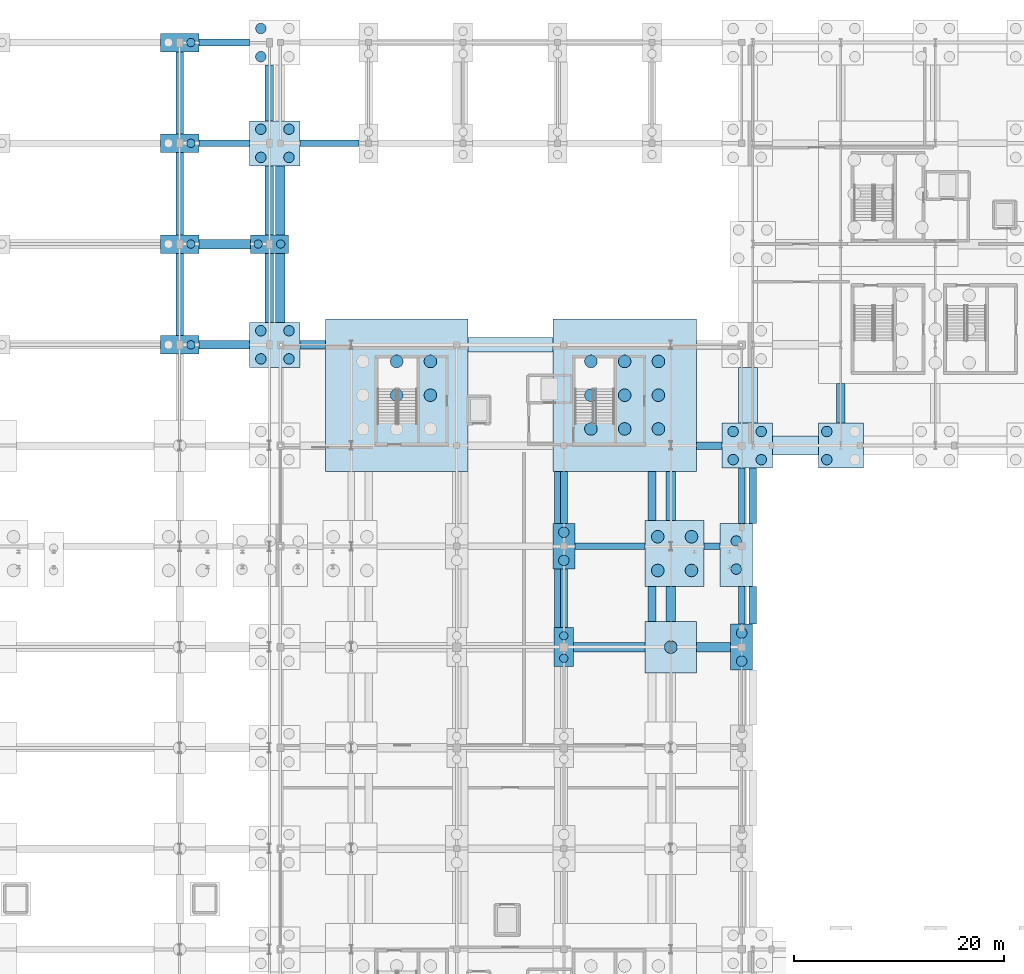
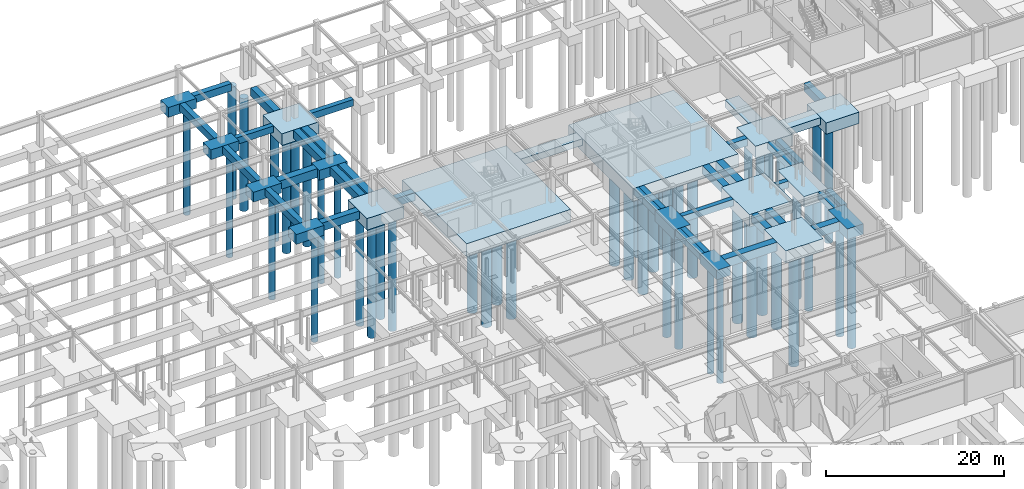
# One storey, part 6 of 59: 52 footings, 48 piles.
"""IFC4 building model written with IfcOpenShell, lengths in metres."""

from ifc_helpers import new_model, si_unit, direction, frame, origin, origin_2d, place, context, subcontext, project, spatial, rectangle, circle, extrude, material, material_profile, profile_set, type_object, element, save


model = new_model("IFC4")

# Units and contexts
model_context = context("Model", 3, precision=1e-05, world=origin(), true_north=direction((0.0, 1.0)))
body_context = subcontext(model_context, "Body", "Model", "MODEL_VIEW")
ifc_project = project(units=[si_unit("LENGTHUNIT", "METRE"), si_unit("AREAUNIT", "SQUARE_METRE"), si_unit("VOLUMEUNIT", "CUBIC_METRE"), si_unit("PLANEANGLEUNIT", "RADIAN"), si_unit("MASSUNIT", "GRAM", prefix="KILO")], contexts=[model_context])

# Site, building, storey
site_placement = place(None, origin())
site = spatial("IfcSite", under=ifc_project, at=site_placement, CompositionType="ELEMENT")
building_placement = place(site_placement, origin())
building = spatial("IfcBuilding", under=site, at=building_placement, Name="Myrtia Square Station", CompositionType="ELEMENT")
storey_placement = place(building_placement, frame((0.0, 0.0, -4.5)))
storey = spatial("IfcBuildingStorey", under=building, at=storey_placement, Name="B01", CompositionType="ELEMENT", Elevation=-4.5)

# Footings
ifc_material = material(Name="Concrete C35/45", Category="concrete")
ifc_material_profile_1 = material_profile(ifc_material, rectangle(XDim=0.60009765625, YDim=0.89990234375, at=origin_2d()), Name="FB 600x900")
ifc_profile_set_1 = profile_set([ifc_material_profile_1], Name="Concrete C35/45")
footing_type_1 = type_object("IfcFootingType", Name="FBM-600x900", PredefinedType="FOOTING_BEAM", material=ifc_profile_set_1)
footing_1_placement = place(storey_placement, frame((100.64990234375, 76.800048828125, -0.449951171875), z_axis=(1.0, 0.0, 0.0), x_axis=(0.0, 1.0, 0.0)))
element("IfcFooting", 1, at=footing_1_placement, inside=storey, type_object=footing_type_1, Name="Seismic foundation tie beam X-0096", PredefinedType="FOOTING_BEAM", context=body_context, shape_type="SweptSolid", body=[
    extrude(rectangle(XDim=0.60009765625, YDim=0.89990234375, at=origin_2d()), origin(), (0.0, 0.0, 1.0), 6.7001953125),
])
footing_2_placement = place(storey_placement, frame((112.969970703125, 76.800048828125, -0.449951171875), z_axis=(1.0, 0.0, 0.0), x_axis=(0.0, 1.0, 0.0)))
element("IfcFooting", 2, at=footing_2_placement, inside=storey, type_object=footing_type_1, Name="Seismic foundation tie beam X-0097", PredefinedType="FOOTING_BEAM", context=body_context, shape_type="SweptSolid", body=[
    extrude(rectangle(XDim=0.60009765625, YDim=0.89990234375, at=origin_2d()), origin(), (0.0, 0.0, 1.0), 1.5),
])
footing_3_placement = place(storey_placement, frame((64.820068359375, 115.199951171875, -0.449951171875), z_axis=(1.0, 0.0, 0.0), x_axis=(0.0, 1.0, 0.0)))
element("IfcFooting", 3, at=footing_3_placement, inside=storey, type_object=footing_type_1, Name="Seismic foundation tie beam X-0134", PredefinedType="FOOTING_BEAM", context=body_context, shape_type="SweptSolid", body=[
    extrude(rectangle(XDim=0.60009765625, YDim=0.89990234375, at=origin_2d()), origin(), (0.0, 0.0, 1.0), 4.85498046875),
])
footing_4_placement = place(storey_placement, frame((74.47509765625, 115.199951171875, -0.449951171875), z_axis=(1.0, 0.0, 0.0), x_axis=(0.0, 1.0, 0.0)))
element("IfcFooting", 4, at=footing_4_placement, inside=storey, type_object=footing_type_1, Name="Seismic foundation tie beam X-0135", PredefinedType="FOOTING_BEAM", context=body_context, shape_type="SweptSolid", body=[
    extrude(rectangle(XDim=0.60009765625, YDim=0.89990234375, at=origin_2d()), origin(), (0.0, 0.0, 1.0), 5.60498046875),
])
footing_5_placement = place(storey_placement, frame((99.0, 69.06005859375, -0.449951171875), z_axis=(0.0, 1.0, 0.0), x_axis=(-1.0, 0.0, 0.0)))
element("IfcFooting", 5, at=footing_5_placement, inside=storey, type_object=footing_type_1, Name="Seismic foundation tie beam Y-0268", PredefinedType="FOOTING_BEAM", context=body_context, shape_type="SweptSolid", body=[
    extrude(rectangle(XDim=0.60009765625, YDim=0.89990234375, at=origin_2d()), origin(), (0.0, 0.0, 1.0), 5.56005859375),
])
footing_6_placement = place(storey_placement, frame((99.0, 78.97998046875, -0.449951171875), z_axis=(0.0, 1.0, 0.0), x_axis=(-1.0, 0.0, 0.0)))
element("IfcFooting", 6, at=footing_6_placement, inside=storey, type_object=footing_type_1, Name="Seismic foundation tie beam Y-0269", PredefinedType="FOOTING_BEAM", context=body_context, shape_type="SweptSolid", body=[
    extrude(rectangle(XDim=0.60009765625, YDim=0.89990234375, at=origin_2d()), origin(), (0.0, 0.0, 1.0), 4.969970703125),
])
footing_7_placement = place(storey_placement, frame((116.550048828125, 69.3798828125, -0.449951171875), z_axis=(0.0, 1.0, 0.0), x_axis=(-1.0, 0.0, 0.0)))
element("IfcFooting", 7, at=footing_7_placement, inside=storey, type_object=footing_type_1, Name="Seismic foundation tie beam Y-0300", PredefinedType="FOOTING_BEAM", context=body_context, shape_type="SweptSolid", body=[
    extrude(rectangle(XDim=0.60009765625, YDim=0.89990234375, at=origin_2d()), origin(), (0.0, 0.0, 1.0), 3.580078125),
])
footing_8_placement = place(storey_placement, frame((116.550048828125, 78.97998046875, -0.449951171875), z_axis=(0.0, 1.0, 0.0), x_axis=(-1.0, 0.0, 0.0)))
element("IfcFooting", 8, at=footing_8_placement, inside=storey, type_object=footing_type_1, Name="Seismic foundation tie beam Y-0301", PredefinedType="FOOTING_BEAM", context=body_context, shape_type="SweptSolid", body=[
    extrude(rectangle(XDim=0.60009765625, YDim=0.89990234375, at=origin_2d()), origin(), (0.0, 0.0, 1.0), 5.27001953125),
])
ifc_material_profile_2 = material_profile(ifc_material, rectangle(XDim=0.699951171875, YDim=1.0, at=origin_2d()), Name="FB 700x1000")
ifc_profile_set_2 = profile_set([ifc_material_profile_2], Name="Concrete C35/45")
footing_type_2 = type_object("IfcFootingType", Name="FBM-700x1000", PredefinedType="FOOTING_BEAM", material=ifc_profile_set_2)
footing_9_placement = place(storey_placement, frame((112.25, 86.39990234375, -0.5), z_axis=(1.0, 0.0, 0.0), x_axis=(0.0, 1.0, 0.0)))
element("IfcFooting", 9, at=footing_9_placement, inside=storey, type_object=footing_type_2, Name="Seismic foundation tie beam X-0106", PredefinedType="FOOTING_BEAM", context=body_context, shape_type="SweptSolid", body=[
    extrude(rectangle(XDim=0.699951171875, YDim=1.0, at=origin_2d()), origin(), (0.0, 0.0, 1.0), 2.425048828125),
])
footing_10_placement = place(storey_placement, frame((64.820068359375, 124.800048828125, -0.5), z_axis=(1.0, 0.0, 0.0), x_axis=(0.0, 1.0, 0.0)))
element("IfcFooting", 10, at=footing_10_placement, inside=storey, type_object=footing_type_2, Name="Seismic foundation tie beam X-0147", PredefinedType="FOOTING_BEAM", context=body_context, shape_type="SweptSolid", body=[
    extrude(rectangle(XDim=0.699951171875, YDim=1.0, at=origin_2d()), origin(), (0.0, 0.0, 1.0), 4.85498046875),
])
for number, where, z_axis, x_axis, name in (
    (11, (63.0, 96.8798828125, -0.5), (0.0, 1.0, 0.0), (-1.0, 0.0, 0.0), "Seismic foundation tie beam Y-0212"),
    (12, (63.0, 106.47998046875, -0.5), (0.0, 1.0, 0.0), (-1.0, 0.0, 0.0), "Seismic foundation tie beam Y-0213"),
):
    element("IfcFooting", number, at=place(storey_placement, frame(where, z_axis=z_axis, x_axis=x_axis)), inside=storey, type_object=footing_type_2, Name=name, PredefinedType="FOOTING_BEAM", context=body_context, shape_type="SweptSolid", body=[
        extrude(rectangle(XDim=0.699951171875, YDim=1.0, at=origin_2d()), origin(), (0.0, 0.0, 1.0), 7.840087890625),
    ])
footing_11_placement = place(storey_placement, frame((63.0, 116.080078125, -0.5), z_axis=(0.0, 1.0, 0.0), x_axis=(-1.0, 0.0, 0.0)))
element("IfcFooting", 13, at=footing_11_placement, inside=storey, type_object=footing_type_2, Name="Seismic foundation tie beam Y-0214", PredefinedType="FOOTING_BEAM", context=body_context, shape_type="SweptSolid", body=[
    extrude(rectangle(XDim=0.699951171875, YDim=1.0, at=origin_2d()), origin(), (0.0, 0.0, 1.0), 7.83984375),
])
footing_12_placement = place(storey_placement, frame((99.60009765625, 69.06005859375, -0.5), z_axis=(0.0, 1.0, 0.0), x_axis=(-1.0, 0.0, 0.0)))
element("IfcFooting", 14, at=footing_12_placement, inside=storey, type_object=footing_type_2, Name="Seismic foundation tie beam Y-0277", PredefinedType="FOOTING_BEAM", context=body_context, shape_type="SweptSolid", body=[
    extrude(rectangle(XDim=0.699951171875, YDim=1.0, at=origin_2d()), origin(), (0.0, 0.0, 1.0), 5.56005859375),
])
footing_13_placement = place(storey_placement, frame((99.60009765625, 78.97998046875, -0.5), z_axis=(0.0, 1.0, 0.0), x_axis=(-1.0, 0.0, 0.0)))
element("IfcFooting", 15, at=footing_13_placement, inside=storey, type_object=footing_type_2, Name="Seismic foundation tie beam Y-0278", PredefinedType="FOOTING_BEAM", context=body_context, shape_type="SweptSolid", body=[
    extrude(rectangle(XDim=0.699951171875, YDim=1.0, at=origin_2d()), origin(), (0.0, 0.0, 1.0), 4.969970703125),
])
footing_14_placement = place(storey_placement, frame((117.60009765625, 69.3798828125, -0.5), z_axis=(0.0, 1.0, 0.0), x_axis=(-1.0, 0.0, 0.0)))
element("IfcFooting", 16, at=footing_14_placement, inside=storey, type_object=footing_type_2, Name="Seismic foundation tie beam Y-0305", PredefinedType="FOOTING_BEAM", context=body_context, shape_type="SweptSolid", body=[
    extrude(rectangle(XDim=0.699951171875, YDim=1.0, at=origin_2d()), origin(), (0.0, 0.0, 1.0), 3.580078125),
])
footing_15_placement = place(storey_placement, frame((117.60009765625, 78.97998046875, -0.5), z_axis=(0.0, 1.0, 0.0), x_axis=(-1.0, 0.0, 0.0)))
element("IfcFooting", 17, at=footing_15_placement, inside=storey, type_object=footing_type_2, Name="Seismic foundation tie beam Y-0306", PredefinedType="FOOTING_BEAM", context=body_context, shape_type="SweptSolid", body=[
    extrude(rectangle(XDim=0.699951171875, YDim=1.0, at=origin_2d()), origin(), (0.0, 0.0, 1.0), 5.27001953125),
])
ifc_material_profile_3 = material_profile(ifc_material, rectangle(XDim=0.800048828125, YDim=1.10009765625, at=origin_2d()), Name="FB 800x1100")
ifc_profile_set_3 = profile_set([ifc_material_profile_3], Name="Concrete C35/45")
footing_type_3 = type_object("IfcFootingType", Name="FBM-800x1100", PredefinedType="FOOTING_BEAM", material=ifc_profile_set_3)
footing_16_placement = place(storey_placement, frame((64.820068359375, 96.0, -0.550048828125), z_axis=(1.0, 0.0, 0.0), x_axis=(0.0, 1.0, 0.0)))
element("IfcFooting", 18, at=footing_16_placement, inside=storey, type_object=footing_type_3, Name="Seismic foundation tie beam X-0112", PredefinedType="FOOTING_BEAM", context=body_context, shape_type="SweptSolid", body=[
    extrude(rectangle(XDim=0.800048828125, YDim=1.10009765625, at=origin_2d()), origin(), (0.0, 0.0, 1.0), 4.85498046875),
])
footing_17_placement = place(storey_placement, frame((74.47509765625, 96.0, -0.550048828125), z_axis=(1.0, 0.0, 0.0), x_axis=(0.0, 1.0, 0.0)))
element("IfcFooting", 19, at=footing_17_placement, inside=storey, type_object=footing_type_3, Name="Seismic foundation tie beam X-0113", PredefinedType="FOOTING_BEAM", context=body_context, shape_type="SweptSolid", body=[
    extrude(rectangle(XDim=0.800048828125, YDim=1.10009765625, at=origin_2d()), origin(), (0.0, 0.0, 1.0), 2.4248046875),
])
for number, where, z_axis, x_axis, name in (
    (20, (71.550048828125, 98.14990234375, -0.550048828125), (0.0, 1.0, 0.0), (-1.0, 0.0, 0.0), "Seismic foundation tie beam Y-0218"),
    (21, (71.550048828125, 106.47998046875, -0.550048828125), (0.0, 1.0, 0.0), (-1.0, 0.0, 0.0), "Seismic foundation tie beam Y-0219"),
):
    element("IfcFooting", number, at=place(storey_placement, frame(where, z_axis=z_axis, x_axis=x_axis)), inside=storey, type_object=footing_type_3, Name=name, PredefinedType="FOOTING_BEAM", context=body_context, shape_type="SweptSolid", body=[
        extrude(rectangle(XDim=0.800048828125, YDim=1.10009765625, at=origin_2d()), origin(), (0.0, 0.0, 1.0), 6.570068359375),
    ])
footing_18_placement = place(storey_placement, frame((71.550048828125, 117.35009765625, -0.550048828125), z_axis=(0.0, 1.0, 0.0), x_axis=(-1.0, 0.0, 0.0)))
element("IfcFooting", 22, at=footing_18_placement, inside=storey, type_object=footing_type_3, Name="Seismic foundation tie beam Y-0220", PredefinedType="FOOTING_BEAM", context=body_context, shape_type="SweptSolid", body=[
    extrude(rectangle(XDim=0.800048828125, YDim=1.10009765625, at=origin_2d()), origin(), (0.0, 0.0, 1.0), 5.2998046875),
])
footing_19_placement = place(storey_placement, frame((108.0, 69.64990234375, -0.550048828125), z_axis=(0.0, 1.0, 0.0), x_axis=(-1.0, 0.0, 0.0)))
element("IfcFooting", 23, at=footing_19_placement, inside=storey, type_object=footing_type_3, Name="Seismic foundation tie beam Y-0286", PredefinedType="FOOTING_BEAM", context=body_context, shape_type="SweptSolid", body=[
    extrude(rectangle(XDim=0.800048828125, YDim=1.10009765625, at=origin_2d()), origin(), (0.0, 0.0, 1.0), 3.31005859375),
])
footing_20_placement = place(storey_placement, frame((108.0, 79.25, -0.550048828125), z_axis=(0.0, 1.0, 0.0), x_axis=(-1.0, 0.0, 0.0)))
element("IfcFooting", 24, at=footing_20_placement, inside=storey, type_object=footing_type_3, Name="Seismic foundation tie beam Y-0287", PredefinedType="FOOTING_BEAM", context=body_context, shape_type="SweptSolid", body=[
    extrude(rectangle(XDim=0.800048828125, YDim=1.10009765625, at=origin_2d()), origin(), (0.0, 0.0, 1.0), 4.699951171875),
])
footing_21_placement = place(storey_placement, frame((126.0, 88.550048828125, -0.550048828125), z_axis=(0.0, 1.0, 0.0), x_axis=(-1.0, 0.0, 0.0)))
element("IfcFooting", 25, at=footing_21_placement, inside=storey, type_object=footing_type_3, Name="Seismic foundation tie beam Y-0309", PredefinedType="FOOTING_BEAM", context=body_context, shape_type="SweptSolid", body=[
    extrude(rectangle(XDim=0.800048828125, YDim=1.10009765625, at=origin_2d()), origin(), (0.0, 0.0, 1.0), 3.75),
])
ifc_material_profile_4 = material_profile(ifc_material, rectangle(XDim=0.89990234375, YDim=1.199951171875, at=origin_2d()), Name="FB 900x1200")
ifc_profile_set_4 = profile_set([ifc_material_profile_4], Name="Concrete C35/45")
footing_type_4 = type_object("IfcFootingType", Name="FBM-900x1200", PredefinedType="FOOTING_BEAM", material=ifc_profile_set_4)
footing_22_placement = place(storey_placement, frame((100.52001953125, 67.199951171875, -0.60009765625), z_axis=(1.0, 0.0, 0.0), x_axis=(0.0, 1.0, 0.0)))
element("IfcFooting", 26, at=footing_22_placement, inside=storey, type_object=footing_type_4, Name="Seismic foundation tie beam X-0082", PredefinedType="FOOTING_BEAM", context=body_context, shape_type="SweptSolid", body=[
    extrude(rectangle(XDim=0.89990234375, YDim=1.199951171875, at=origin_2d()), origin(), (0.0, 0.0, 1.0), 6.830078125),
])
footing_23_placement = place(storey_placement, frame((112.25, 67.199951171875, -0.60009765625), z_axis=(1.0, 0.0, 0.0), x_axis=(0.0, 1.0, 0.0)))
element("IfcFooting", 27, at=footing_23_placement, inside=storey, type_object=footing_type_4, Name="Seismic foundation tie beam X-0083", PredefinedType="FOOTING_BEAM", context=body_context, shape_type="SweptSolid", body=[
    extrude(rectangle(XDim=0.89990234375, YDim=1.199951171875, at=origin_2d()), origin(), (0.0, 0.0, 1.0), 3.25),
])
footing_24_placement = place(storey_placement, frame((64.820068359375, 105.60009765625, -0.60009765625), z_axis=(1.0, 0.0, 0.0), x_axis=(0.0, 1.0, 0.0)))
element("IfcFooting", 28, at=footing_24_placement, inside=storey, type_object=footing_type_4, Name="Seismic foundation tie beam X-0124", PredefinedType="FOOTING_BEAM", context=body_context, shape_type="SweptSolid", body=[
    extrude(rectangle(XDim=0.89990234375, YDim=1.199951171875, at=origin_2d()), origin(), (0.0, 0.0, 1.0), 4.909912109375),
])
for number, where, z_axis, x_axis, name in (
    (29, (72.60009765625, 98.14990234375, -0.60009765625), (0.0, 1.0, 0.0), (-1.0, 0.0, 0.0), "Seismic foundation tie beam Y-0224"),
    (30, (72.60009765625, 106.47998046875, -0.60009765625), (0.0, 1.0, 0.0), (-1.0, 0.0, 0.0), "Seismic foundation tie beam Y-0225"),
):
    element("IfcFooting", number, at=place(storey_placement, frame(where, z_axis=z_axis, x_axis=x_axis)), inside=storey, type_object=footing_type_4, Name=name, PredefinedType="FOOTING_BEAM", context=body_context, shape_type="SweptSolid", body=[
        extrude(rectangle(XDim=0.89990234375, YDim=1.199951171875, at=origin_2d()), origin(), (0.0, 0.0, 1.0), 6.570068359375),
    ])
footing_25_placement = place(storey_placement, frame((109.800048828125, 69.64990234375, -0.60009765625), z_axis=(0.0, 1.0, 0.0), x_axis=(-1.0, 0.0, 0.0)))
element("IfcFooting", 31, at=footing_25_placement, inside=storey, type_object=footing_type_4, Name="Seismic foundation tie beam Y-0295", PredefinedType="FOOTING_BEAM", context=body_context, shape_type="SweptSolid", body=[
    extrude(rectangle(XDim=0.89990234375, YDim=1.199951171875, at=origin_2d()), origin(), (0.0, 0.0, 1.0), 3.31005859375),
])
footing_26_placement = place(storey_placement, frame((109.800048828125, 79.25, -0.60009765625), z_axis=(0.0, 1.0, 0.0), x_axis=(-1.0, 0.0, 0.0)))
element("IfcFooting", 32, at=footing_26_placement, inside=storey, type_object=footing_type_4, Name="Seismic foundation tie beam Y-0296", PredefinedType="FOOTING_BEAM", context=body_context, shape_type="SweptSolid", body=[
    extrude(rectangle(XDim=0.89990234375, YDim=1.199951171875, at=origin_2d()), origin(), (0.0, 0.0, 1.0), 4.699951171875),
])
footing_type_5 = type_object("IfcFootingType", Name="FCAP-1355x1450x180", PredefinedType="PILE_CAP", material=ifc_material)
footing_27_placement = place(storey_placement, frame((83.675048828125, 91.199951171875, -1.7998046875), z_axis=(0.0, 0.0, 1.0), x_axis=(1.0, 0.0, 0.0)))
element("IfcFooting", 33, at=footing_27_placement, inside=storey, type_object=footing_type_5, Name="Reinforced concrete pile cap CAP-CORE-K2", PredefinedType="PILE_CAP", context=body_context, shape_type="SweptSolid", body=[
    extrude(rectangle(XDim=13.550048828125, YDim=14.5, at=origin_2d()), origin(), (0.0, 0.0, 1.0), 1.800048828125),
])
footing_type_6 = type_object("IfcFootingType", Name="FCAP-1370x1450x180", PredefinedType="PILE_CAP", material=ifc_material)
footing_28_placement = place(storey_placement, frame((105.39990234375, 91.199951171875, -1.7998046875), z_axis=(0.0, 0.0, 1.0), x_axis=(1.0, 0.0, 0.0)))
element("IfcFooting", 34, at=footing_28_placement, inside=storey, type_object=footing_type_6, Name="Reinforced concrete pile cap CAP-CORE-K4", PredefinedType="PILE_CAP", context=body_context, shape_type="SweptSolid", body=[
    extrude(rectangle(XDim=13.699951171875, YDim=14.5, at=origin_2d()), origin(), (0.0, 0.0, 1.0), 1.800048828125),
])
footing_type_7 = type_object("IfcFootingType", Name="FCAP-184x372x130", PredefinedType="PILE_CAP", material=ifc_material)
footing_29_placement = place(storey_placement, frame((99.60009765625, 67.199951171875, -1.2998046875), z_axis=(0.0, 0.0, 1.0), x_axis=(1.0, 0.0, 0.0)))
element("IfcFooting", 35, at=footing_29_placement, inside=storey, type_object=footing_type_7, Name="Reinforced concrete pile cap CAP-L2Y-124", PredefinedType="PILE_CAP", context=body_context, shape_type="SweptSolid", body=[
    extrude(rectangle(XDim=1.840087890625, YDim=3.719970703125, at=origin_2d()), origin(), (0.0, 0.0, 1.0), 1.300048828125),
])
footing_type_8 = type_object("IfcFootingType", Name="FCAP-210x436x145", PredefinedType="PILE_CAP", material=ifc_material)
for number, where, z_axis, x_axis, name in (
    (36, (116.550048828125, 67.199951171875, -1.4501953125), (0.0, 0.0, 1.0), (1.0, 0.0, 0.0), "Reinforced concrete pile cap CAP-M2Y-097"),
    (37, (99.60009765625, 76.800048828125, -1.4501953125), (0.0, 0.0, 1.0), (1.0, 0.0, 0.0), "Reinforced concrete pile cap CAP-M2Y-125"),
):
    element("IfcFooting", number, at=place(storey_placement, frame(where, z_axis=z_axis, x_axis=x_axis)), inside=storey, type_object=footing_type_8, Name=name, PredefinedType="PILE_CAP", context=body_context, shape_type="SweptSolid", body=[
        extrude(rectangle(XDim=2.10009765625, YDim=4.360107421875, at=origin_2d()), origin(), (0.0, 0.0, 1.0), 1.449951171875),
    ])
footing_type_9 = type_object("IfcFootingType", Name="FCAP-313x602x145", PredefinedType="PILE_CAP", material=ifc_material)
footing_30_placement = place(storey_placement, frame((116.034912109375, 75.969970703125, -1.4501953125), z_axis=(0.0, 0.0, 1.0), x_axis=(1.0, 0.0, 0.0)))
element("IfcFooting", 38, at=footing_30_placement, inside=storey, type_object=footing_type_9, Name="Reinforced concrete pile cap CAP-M2Y-101", PredefinedType="PILE_CAP", context=body_context, shape_type="SweptSolid", body=[
    extrude(rectangle(XDim=3.1298828125, YDim=6.02001953125, at=origin_2d()), origin(), (0.0, 0.0, 1.0), 1.449951171875),
])
footing_type_10 = type_object("IfcFootingType", Name="FCAP-364x176x135", PredefinedType="PILE_CAP", material=ifc_material)
for number, where, z_axis, x_axis, name in (
    (39, (63.0, 96.0, -1.35009765625), (0.0, 0.0, 1.0), (1.0, 0.0, 0.0), "Reinforced concrete pile cap CAP-L2X-062"),
    (40, (63.0, 105.60009765625, -1.35009765625), (0.0, 0.0, 1.0), (1.0, 0.0, 0.0), "Reinforced concrete pile cap CAP-L2X-063"),
    (41, (63.0, 115.199951171875, -1.35009765625), (0.0, 0.0, 1.0), (1.0, 0.0, 0.0), "Reinforced concrete pile cap CAP-L2X-064"),
    (42, (63.0, 124.800048828125, -1.35009765625), (0.0, 0.0, 1.0), (1.0, 0.0, 0.0), "Reinforced concrete pile cap CAP-L2X-065"),
    (43, (71.550048828125, 105.60009765625, -1.35009765625), (0.0, 0.0, 1.0), (1.0, 0.0, 0.0), "Reinforced concrete pile cap CAP-L2X-077"),
):
    element("IfcFooting", number, at=place(storey_placement, frame(where, z_axis=z_axis, x_axis=x_axis)), inside=storey, type_object=footing_type_10, Name=name, PredefinedType="PILE_CAP", context=body_context, shape_type="SweptSolid", body=[
        extrude(rectangle(XDim=3.639892578125, YDim=1.760009765625, at=origin_2d()), origin(), (0.0, 0.0, 1.0), 1.35009765625),
    ])
footing_type_11 = type_object("IfcFootingType", Name="FCAP-430x430x155", PredefinedType="PILE_CAP", material=ifc_material)
footing_31_placement = place(storey_placement, frame((126.0, 86.39990234375, -1.5498046875), z_axis=(0.0, 0.0, 1.0), x_axis=(1.0, 0.0, 0.0)))
element("IfcFooting", 44, at=footing_31_placement, inside=storey, type_object=footing_type_11, Name="Reinforced concrete pile cap CAP-M4-215", PredefinedType="PILE_CAP", context=body_context, shape_type="SweptSolid", body=[
    extrude(rectangle(XDim=4.300048828125, YDim=4.300048828125, at=origin_2d()), origin(), (0.0, 0.0, 1.0), 1.550048828125),
])
footing_type_12 = type_object("IfcFootingType", Name="FCAP-480x430x160", PredefinedType="PILE_CAP", material=ifc_material)
for number, where, z_axis, x_axis, name in (
    (45, (72.074951171875, 96.0, -1.60009765625), (0.0, 0.0, 1.0), (1.0, 0.0, 0.0), "Reinforced concrete pile cap CAP-JT-076"),
    (46, (72.074951171875, 115.199951171875, -1.60009765625), (0.0, 0.0, 1.0), (1.0, 0.0, 0.0), "Reinforced concrete pile cap CAP-JT-078"),
    (47, (117.074951171875, 86.39990234375, -1.60009765625), (0.0, 0.0, 1.0), (1.0, 0.0, 0.0), "Reinforced concrete pile cap CAP-JT-105"),
):
    element("IfcFooting", number, at=place(storey_placement, frame(where, z_axis=z_axis, x_axis=x_axis)), inside=storey, type_object=footing_type_12, Name=name, PredefinedType="PILE_CAP", context=body_context, shape_type="SweptSolid", body=[
        extrude(rectangle(XDim=4.800048828125, YDim=4.300048828125, at=origin_2d()), origin(), (0.0, 0.0, 1.0), 1.60009765625),
    ])
footing_type_13 = type_object("IfcFootingType", Name="FCAP-490x490x170", PredefinedType="PILE_CAP", material=ifc_material)
footing_32_placement = place(storey_placement, frame((109.800048828125, 67.199951171875, -1.7001953125), z_axis=(0.0, 0.0, 1.0), x_axis=(1.0, 0.0, 0.0)))
element("IfcFooting", 48, at=footing_32_placement, inside=storey, type_object=footing_type_13, Name="Reinforced concrete pile cap CAP-H4-099", PredefinedType="PILE_CAP", context=body_context, shape_type="SweptSolid", body=[
    extrude(rectangle(XDim=4.89990234375, YDim=4.89990234375, at=origin_2d()), origin(), (0.0, 0.0, 1.0), 1.699951171875),
])
footing_type_14 = type_object("IfcFootingType", Name="FCAP-562x629x170", PredefinedType="PILE_CAP", material=ifc_material)
footing_33_placement = place(storey_placement, frame((110.159912109375, 76.10498046875, -1.7001953125), z_axis=(0.0, 0.0, 1.0), x_axis=(1.0, 0.0, 0.0)))
element("IfcFooting", 49, at=footing_33_placement, inside=storey, type_object=footing_type_14, Name="Reinforced concrete pile cap CAP-H4-103", PredefinedType="PILE_CAP", context=body_context, shape_type="SweptSolid", body=[
    extrude(rectangle(XDim=5.6201171875, YDim=6.2900390625, at=origin_2d()), origin(), (0.0, 0.0, 1.0), 1.699951171875),
])

# Piles
ifc_material_profile_5 = material_profile(ifc_material, circle(Radius=0.5, at=origin_2d()), Name="BP D1000")
ifc_profile_set_5 = profile_set([ifc_material_profile_5], Name="Concrete C35/45")
pile_type_1 = type_object("IfcPileType", Name="PIL-BP1000", PredefinedType="BORED", material=ifc_profile_set_5)
for number, where, z_axis, x_axis, name in (
    (50, (70.735107421875, 94.659912109375, -1.5), (0.0, 0.0, -1.0), (1.0, 0.0, 0.0), "Bored pile 0253"),
    (51, (70.735107421875, 97.340087890625, -1.5), (0.0, 0.0, -1.0), (1.0, 0.0, 0.0), "Bored pile 0254"),
    (52, (73.4150390625, 94.659912109375, -1.5), (0.0, 0.0, -1.0), (1.0, 0.0, 0.0), "Bored pile 0255"),
    (53, (73.4150390625, 97.340087890625, -1.5), (0.0, 0.0, -1.0), (1.0, 0.0, 0.0), "Bored pile 0256"),
    (54, (70.735107421875, 113.860107421875, -1.5), (0.0, 0.0, -1.0), (1.0, 0.0, 0.0), "Bored pile 0259"),
    (55, (70.735107421875, 116.5400390625, -1.5), (0.0, 0.0, -1.0), (1.0, 0.0, 0.0), "Bored pile 0260"),
    (56, (73.4150390625, 113.860107421875, -1.5), (0.0, 0.0, -1.0), (1.0, 0.0, 0.0), "Bored pile 0261"),
    (57, (73.4150390625, 116.5400390625, -1.5), (0.0, 0.0, -1.0), (1.0, 0.0, 0.0), "Bored pile 0262"),
    (58, (70.735107421875, 123.4599609375, -1.5), (0.0, 0.0, -1.0), (1.0, 0.0, 0.0), "Bored pile 0263"),
    (59, (70.735107421875, 126.139892578125, -1.5), (0.0, 0.0, -1.0), (1.0, 0.0, 0.0), "Bored pile 0264"),
):
    element("IfcPile", number, at=place(storey_placement, frame(where, z_axis=z_axis, x_axis=x_axis)), inside=storey, type_object=pile_type_1, Name=name, PredefinedType="BORED", context=body_context, shape_type="SweptSolid", body=[
        extrude(circle(Radius=0.5, at=origin_2d()), origin(), (0.0, 0.0, 1.0), 15.5),
    ])
for number, where, z_axis, x_axis, name in (
    (60, (116.550048828125, 65.860107421875, -1.35009765625), (0.0, 0.0, -1.0), (1.0, 0.0, 0.0), "Bored pile 0279"),
    (61, (116.550048828125, 68.5400390625, -1.35009765625), (0.0, 0.0, -1.0), (1.0, 0.0, 0.0), "Bored pile 0280"),
    (62, (116.034912109375, 74.6298828125, -1.35009765625), (0.0, 0.0, -1.0), (1.0, 0.0, 0.0), "Bored pile 0283"),
    (63, (116.034912109375, 77.31005859375, -1.35009765625), (0.0, 0.0, -1.0), (1.0, 0.0, 0.0), "Bored pile 0284"),
):
    element("IfcPile", number, at=place(storey_placement, frame(where, z_axis=z_axis, x_axis=x_axis)), inside=storey, type_object=pile_type_1, Name=name, PredefinedType="BORED", context=body_context, shape_type="SweptSolid", body=[
        extrude(circle(Radius=0.5, at=origin_2d()), origin(), (0.0, 0.0, 1.0), 15.64990234375),
    ])
for number, where, z_axis, x_axis, name in (
    (64, (115.735107421875, 85.06005859375, -1.5), (0.0, 0.0, -1.0), (1.0, 0.0, 0.0), "Bored pile 0293"),
    (65, (115.735107421875, 87.739990234375, -1.5), (0.0, 0.0, -1.0), (1.0, 0.0, 0.0), "Bored pile 0294"),
    (66, (118.4150390625, 85.06005859375, -1.5), (0.0, 0.0, -1.0), (1.0, 0.0, 0.0), "Bored pile 0295"),
    (67, (118.4150390625, 87.739990234375, -1.5), (0.0, 0.0, -1.0), (1.0, 0.0, 0.0), "Bored pile 0296"),
):
    element("IfcPile", number, at=place(storey_placement, frame(where, z_axis=z_axis, x_axis=x_axis)), inside=storey, type_object=pile_type_1, Name=name, PredefinedType="BORED", context=body_context, shape_type="SweptSolid", body=[
        extrude(circle(Radius=0.5, at=origin_2d()), origin(), (0.0, 0.0, 1.0), 15.5),
    ])
for number, where, z_axis, x_axis, name in (
    (68, (99.60009765625, 75.4599609375, -1.35009765625), (0.0, 0.0, -1.0), (1.0, 0.0, 0.0), "Bored pile 0315"),
    (69, (99.60009765625, 78.139892578125, -1.35009765625), (0.0, 0.0, -1.0), (1.0, 0.0, 0.0), "Bored pile 0316"),
):
    element("IfcPile", number, at=place(storey_placement, frame(where, z_axis=z_axis, x_axis=x_axis)), inside=storey, type_object=pile_type_1, Name=name, PredefinedType="BORED", context=body_context, shape_type="SweptSolid", body=[
        extrude(circle(Radius=0.5, at=origin_2d()), origin(), (0.0, 0.0, 1.0), 15.64990234375),
    ])
for number, where, z_axis, x_axis, name in (
    (70, (124.659912109375, 85.06005859375, -1.449951171875), (0.0, 0.0, -1.0), (1.0, 0.0, 0.0), "Bored pile 0442"),
    (71, (124.659912109375, 87.739990234375, -1.449951171875), (0.0, 0.0, -1.0), (1.0, 0.0, 0.0), "Bored pile 0443"),
):
    element("IfcPile", number, at=place(storey_placement, frame(where, z_axis=z_axis, x_axis=x_axis)), inside=storey, type_object=pile_type_1, Name=name, PredefinedType="BORED", context=body_context, shape_type="SweptSolid", body=[
        extrude(circle(Radius=0.5, at=origin_2d()), origin(), (0.0, 0.0, 1.0), 15.550048828125),
    ])
ifc_material_profile_6 = material_profile(ifc_material, circle(Radius=0.60009765625, at=origin_2d()), Name="BP D1200")
ifc_profile_set_6 = profile_set([ifc_material_profile_6], Name="Concrete C35/45")
pile_type_2 = type_object("IfcPileType", Name="PIL-BP1200", PredefinedType="BORED", material=ifc_profile_set_6)
for number, where, z_axis, x_axis, name in (
    (72, (83.675048828125, 91.199951171875, -1.699951171875), (0.0, 0.0, -1.0), (1.0, 0.0, 0.0), "Bored pile 0014"),
    (73, (83.675048828125, 94.416015625, -1.699951171875), (0.0, 0.0, -1.0), (1.0, 0.0, 0.0), "Bored pile 0015"),
    (74, (86.89111328125, 91.199951171875, -1.699951171875), (0.0, 0.0, -1.0), (1.0, 0.0, 0.0), "Bored pile 0017"),
    (75, (86.89111328125, 94.416015625, -1.699951171875), (0.0, 0.0, -1.0), (1.0, 0.0, 0.0), "Bored pile 0018"),
    (76, (102.18408203125, 87.98388671875, -1.699951171875), (0.0, 0.0, -1.0), (1.0, 0.0, 0.0), "Bored pile 0028"),
    (77, (102.18408203125, 91.199951171875, -1.699951171875), (0.0, 0.0, -1.0), (1.0, 0.0, 0.0), "Bored pile 0029"),
    (78, (102.18408203125, 94.416015625, -1.699951171875), (0.0, 0.0, -1.0), (1.0, 0.0, 0.0), "Bored pile 0030"),
    (79, (105.39990234375, 87.98388671875, -1.699951171875), (0.0, 0.0, -1.0), (1.0, 0.0, 0.0), "Bored pile 0031"),
    (80, (105.39990234375, 91.199951171875, -1.699951171875), (0.0, 0.0, -1.0), (1.0, 0.0, 0.0), "Bored pile 0032"),
    (81, (105.39990234375, 94.416015625, -1.699951171875), (0.0, 0.0, -1.0), (1.0, 0.0, 0.0), "Bored pile 0033"),
    (82, (108.615966796875, 87.98388671875, -1.699951171875), (0.0, 0.0, -1.0), (1.0, 0.0, 0.0), "Bored pile 0034"),
    (83, (108.615966796875, 91.199951171875, -1.699951171875), (0.0, 0.0, -1.0), (1.0, 0.0, 0.0), "Bored pile 0035"),
    (84, (108.615966796875, 94.416015625, -1.699951171875), (0.0, 0.0, -1.0), (1.0, 0.0, 0.0), "Bored pile 0036"),
):
    element("IfcPile", number, at=place(storey_placement, frame(where, z_axis=z_axis, x_axis=x_axis)), inside=storey, type_object=pile_type_2, Name=name, PredefinedType="BORED", context=body_context, shape_type="SweptSolid", body=[
        extrude(circle(Radius=0.60009765625, at=origin_2d()), origin(), (0.0, 0.0, 1.0), 16.199951171875),
    ])
for number, where, z_axis, x_axis, name in (
    (85, (109.800048828125, 67.199951171875, -1.60009765625), (0.0, 0.0, -1.0), (1.0, 0.0, 0.0), "Bored pile 0282"),
    (86, (108.552001953125, 74.4970703125, -1.60009765625), (0.0, 0.0, -1.0), (1.0, 0.0, 0.0), "Bored pile 0289"),
    (87, (108.552001953125, 77.712890625, -1.60009765625), (0.0, 0.0, -1.0), (1.0, 0.0, 0.0), "Bored pile 0290"),
    (88, (111.76806640625, 74.4970703125, -1.60009765625), (0.0, 0.0, -1.0), (1.0, 0.0, 0.0), "Bored pile 0291"),
    (89, (111.76806640625, 77.712890625, -1.60009765625), (0.0, 0.0, -1.0), (1.0, 0.0, 0.0), "Bored pile 0292"),
):
    element("IfcPile", number, at=place(storey_placement, frame(where, z_axis=z_axis, x_axis=x_axis)), inside=storey, type_object=pile_type_2, Name=name, PredefinedType="BORED", context=body_context, shape_type="SweptSolid", body=[
        extrude(circle(Radius=0.60009765625, at=origin_2d()), origin(), (0.0, 0.0, 1.0), 16.300048828125),
    ])
ifc_material_profile_7 = material_profile(ifc_material, circle(Radius=0.39990234375, at=origin_2d()), Name="BP D800")
ifc_profile_set_7 = profile_set([ifc_material_profile_7], Name="Concrete C35/45")
pile_type_3 = type_object("IfcPileType", Name="PIL-BP800", PredefinedType="BORED", material=ifc_profile_set_7)
for number, where, z_axis, x_axis, name in (
    (90, (64.072021484375, 96.0, -1.25), (0.0, 0.0, -1.0), (1.0, 0.0, 0.0), "Bored pile 0204"),
    (91, (64.072021484375, 105.60009765625, -1.25), (0.0, 0.0, -1.0), (1.0, 0.0, 0.0), "Bored pile 0206"),
    (92, (64.072021484375, 115.199951171875, -1.25), (0.0, 0.0, -1.0), (1.0, 0.0, 0.0), "Bored pile 0208"),
    (93, (64.072021484375, 124.800048828125, -1.25), (0.0, 0.0, -1.0), (1.0, 0.0, 0.0), "Bored pile 0210"),
    (94, (70.47802734375, 105.60009765625, -1.25), (0.0, 0.0, -1.0), (1.0, 0.0, 0.0), "Bored pile 0257"),
    (95, (72.6220703125, 105.60009765625, -1.25), (0.0, 0.0, -1.0), (1.0, 0.0, 0.0), "Bored pile 0258"),
):
    element("IfcPile", number, at=place(storey_placement, frame(where, z_axis=z_axis, x_axis=x_axis)), inside=storey, type_object=pile_type_3, Name=name, PredefinedType="BORED", context=body_context, shape_type="SweptSolid", body=[
        extrude(circle(Radius=0.39990234375, at=origin_2d()), origin(), (0.0, 0.0, 1.0), 14.85009765625),
    ])
for number, where, z_axis, x_axis, name in (
    (96, (99.60009765625, 66.1279296875, -1.199951171875), (0.0, 0.0, -1.0), (1.0, 0.0, 0.0), "Bored pile 0313"),
    (97, (99.60009765625, 68.27197265625, -1.199951171875), (0.0, 0.0, -1.0), (1.0, 0.0, 0.0), "Bored pile 0314"),
):
    element("IfcPile", number, at=place(storey_placement, frame(where, z_axis=z_axis, x_axis=x_axis)), inside=storey, type_object=pile_type_3, Name=name, PredefinedType="BORED", context=body_context, shape_type="SweptSolid", body=[
        extrude(circle(Radius=0.39990234375, at=origin_2d()), origin(), (0.0, 0.0, 1.0), 14.89990234375),
    ])

# Footings
footing_type_15 = type_object("IfcFootingType", Name="SF-1400x900", PredefinedType="STRIP_FOOTING", material=ifc_material)
footing_34_placement = place(storey_placement, frame((94.5, 96.0, -0.89990234375), z_axis=(0.0, 0.0, 1.0), x_axis=(1.0, 0.0, 0.0)))
element("IfcFooting", 98, at=footing_34_placement, inside=storey, type_object=footing_type_15, Name="Retaining wall strip footing 002", PredefinedType="STRIP_FOOTING", context=body_context, shape_type="SweptSolid", body=[
    extrude(rectangle(XDim=8.10009765625, YDim=1.39990234375, at=origin_2d()), origin(), (0.0, 0.0, 1.0), 0.89990234375),
])
footing_type_16 = type_object("IfcFootingType", Name="SF-1800x1000", PredefinedType="STRIP_FOOTING", material=ifc_material)
footing_35_placement = place(storey_placement, frame((121.66259765625, 86.39990234375, -1.0), z_axis=(0.0, 0.0, 1.0), x_axis=(1.0, 0.0, 0.0)))
element("IfcFooting", 99, at=footing_35_placement, inside=storey, type_object=footing_type_16, Name="Retaining wall strip footing 030", PredefinedType="STRIP_FOOTING", context=body_context, shape_type="SweptSolid", body=[
    extrude(rectangle(XDim=4.375, YDim=1.800048828125, at=origin_2d()), origin(), (0.0, 0.0, 1.0), 1.0),
])
footing_36_placement = place(storey_placement, frame((117.14990234375, 91.199951171875, -1.0), z_axis=(0.0, 0.0, 1.0), x_axis=(1.0, 0.0, 0.0)))
element("IfcFooting", 100, at=footing_36_placement, inside=storey, type_object=footing_type_16, Name="Retaining wall strip footing 044", PredefinedType="STRIP_FOOTING", context=body_context, shape_type="SweptSolid", body=[
    extrude(rectangle(XDim=1.800048828125, YDim=5.300048828125, at=origin_2d()), origin(), (0.0, 0.0, 1.0), 1.0),
])

save(model, "model.ifc")
